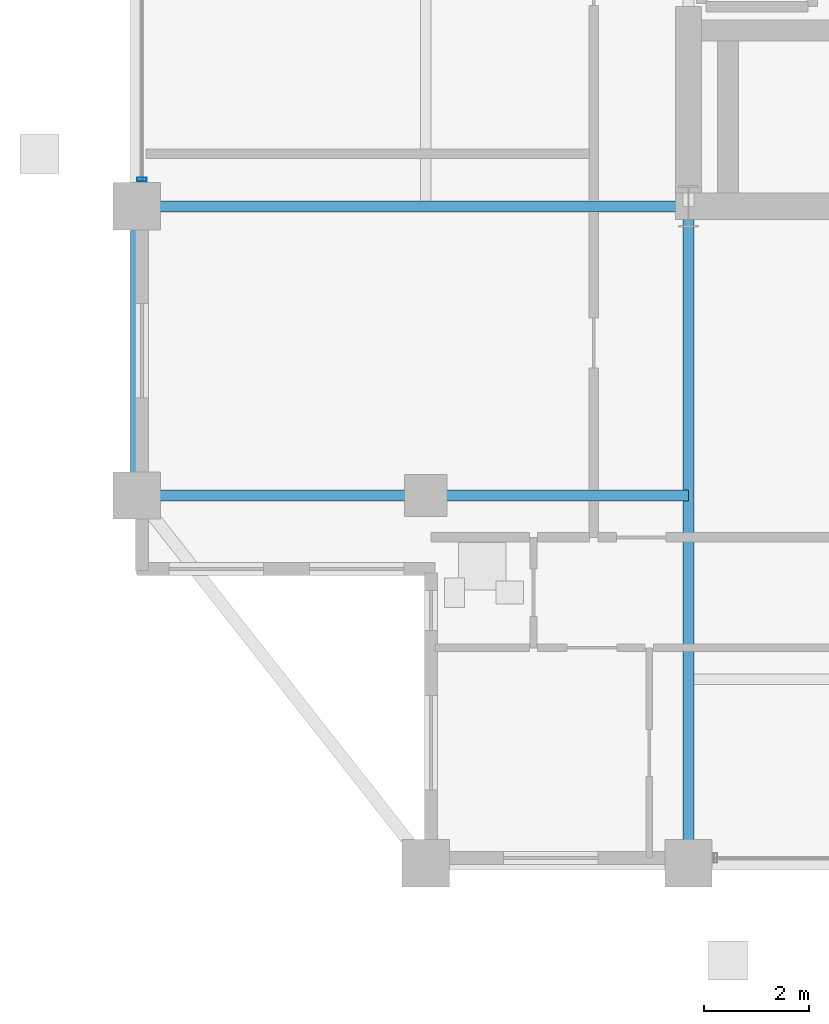
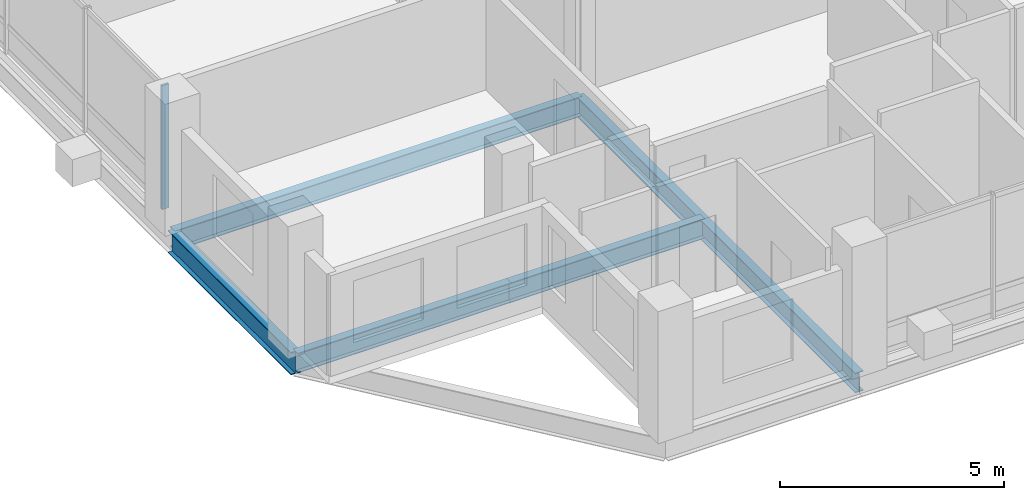
# One storey, part 3 of 16: 5 beams, 1 member, 1 element without a shape of its own.
"""IFC4 building model written with IfcOpenShell, lengths in metres."""

import ifcopenshell
import ifcopenshell.guid

model = None  # the IFC model being written
_history = None  # IfcOwnerHistory: only IFC2X3 demands one
_inside = {}  # id of a spatial element -> (the spatial element, [elements in it])
_under = {}  # id of a project, library or spatial element -> (it, [spatial elements below it])
_declared = {}  # id of a project -> (the project, [libraries it declares])
_typed = {}  # id of a type object -> (the type object, [elements of that type])
_made_of = {}  # id of a material, layer set ... -> (it, [elements and type objects made of it])


def new_model(schema):
    """Start an empty IFC model of exactly this schema.

    Asked for "IFC4X3", IfcOpenShell would pick the latest addendum, in which some entities
    have other attributes; the version numbers below select the first issue.
    IFC2X3 requires an IfcOwnerHistory on every rooted entity: one is made here for all.
    """
    global model, _history
    if schema == "IFC4X3":
        model = ifcopenshell.file(schema_version=(4, 3, 0, 0))
    else:
        model = ifcopenshell.file(schema=schema)
    _inside.clear()
    _under.clear()
    _declared.clear()
    _typed.clear()
    _made_of.clear()
    _history = None
    if model.schema == "IFC2X3":
        org = make("IfcOrganization", Name="unknown")
        user = make(
            "IfcPersonAndOrganization",
            ThePerson=make("IfcPerson", FamilyName="unknown"),
            TheOrganization=org,
        )
        app = make(
            "IfcApplication",
            ApplicationDeveloper=org,
            Version="unknown",
            ApplicationFullName="unknown",
            ApplicationIdentifier="unknown",
        )
        _history = make(
            "IfcOwnerHistory",
            OwningUser=user,
            OwningApplication=app,
            ChangeAction="ADDED",
            CreationDate=0,
        )
    return model


def make(cls, **values):
    """One entity of the class cls with the attributes given. An attribute that is None is left unset."""
    return model.create_entity(
        cls, **{name: value for name, value in values.items() if value is not None}
    )


def rooted(cls, **values):
    """An entity with a GlobalId (a new one), such as an element, a storey or a relation."""
    return make(cls, GlobalId=ifcopenshell.guid.new(), OwnerHistory=_history, **values)


def si_unit(unit_type, name, prefix=None):
    """IfcSIUnit, for example si_unit("LENGTHUNIT", "METRE", prefix="MILLI")."""
    return make("IfcSIUnit", UnitType=unit_type, Prefix=prefix, Name=name)


def assignment(units):
    """IfcUnitAssignment: the units of a project."""
    return None if units is None else make("IfcUnitAssignment", Units=units)


def point(xyz):
    """IfcCartesianPoint."""
    return None if xyz is None else make("IfcCartesianPoint", Coordinates=xyz)


def direction(xyz):
    """IfcDirection."""
    return None if xyz is None else make("IfcDirection", DirectionRatios=xyz)


def frame(location, z_axis=None, x_axis=None):
    """IfcAxis2Placement3D, a coordinate frame: its origin and axes. An axis left out is left unset."""
    return make(
        "IfcAxis2Placement3D",
        Location=point(location),
        Axis=direction(z_axis),
        RefDirection=direction(x_axis),
    )


def frame_2d(location, x_axis=None):
    """IfcAxis2Placement2D, a coordinate frame in the plane: its origin and x axis."""
    return make(
        "IfcAxis2Placement2D", Location=point(location), RefDirection=direction(x_axis)
    )


def origin():
    """The frame at (0, 0, 0) with its axes left unset."""
    return frame((0.0, 0.0, 0.0))


def origin_2d():
    """The frame at (0, 0) in the plane with its x axis left unset."""
    return frame_2d((0.0, 0.0))


def place(relative_to, where):
    """IfcLocalPlacement: puts the frame where relative to a parent placement (None: the world)."""
    return make(
        "IfcLocalPlacement", PlacementRelTo=relative_to, RelativePlacement=where
    )


def context(
    kind, dimensions, precision=None, world=None, true_north=None, identifier=None
):
    """IfcGeometricRepresentationContext, for example the 3D "Model" context."""
    return make(
        "IfcGeometricRepresentationContext",
        ContextIdentifier=identifier,
        ContextType=kind,
        CoordinateSpaceDimension=dimensions,
        Precision=precision,
        WorldCoordinateSystem=world,
        TrueNorth=true_north,
    )


def subcontext(parent, identifier, kind, view, scale=None):
    """IfcGeometricRepresentationSubContext, for example "Body" below "Model"."""
    return make(
        "IfcGeometricRepresentationSubContext",
        ContextIdentifier=identifier,
        ContextType=kind,
        ParentContext=parent,
        TargetScale=scale,
        TargetView=view,
    )


def project(units=None, contexts=None):
    """IfcProject with its units and contexts."""
    return rooted(
        "IfcProject",
        Name="project",
        RepresentationContexts=contexts,
        UnitsInContext=assignment(units),
    )


def spatial(cls, under=None, at=None, **own):
    """A site, building, storey or space (cls), placed at a placement, below another one or the project."""
    s = rooted(cls, ObjectPlacement=at, **own)
    if under is not None:
        _under.setdefault(under.id(), (under, []))[1].append(s)
    return s


def profile(cls, at=None, kind="AREA", **sizes):
    """A parametric profile (cls). Its sizes go by their IFC names, for example OverallWidth=200.0."""
    return make(cls, ProfileType=kind, Position=at, **sizes)


def hollow_rectangle(**sizes):
    """IfcRectangleHollowProfileDef."""
    return profile("IfcRectangleHollowProfileDef", **sizes)


def i_section(**sizes):
    """IfcIShapeProfileDef."""
    return profile("IfcIShapeProfileDef", **sizes)


def extrude(swept, where, along, depth):
    """IfcExtrudedAreaSolid: the profile swept, set in the frame where, extruded along a direction by depth."""
    return make(
        "IfcExtrudedAreaSolid",
        SweptArea=swept,
        Position=where,
        ExtrudedDirection=direction(along),
        Depth=depth,
    )


def shape(context_of_items, identifier, shape_type, items):
    """IfcShapeRepresentation: the items that make up one representation, for example the "Body"."""
    return make(
        "IfcShapeRepresentation",
        ContextOfItems=context_of_items,
        RepresentationIdentifier=identifier,
        RepresentationType=shape_type,
        Items=items,
    )


def material(Name=None, Category=None):
    """IfcMaterial."""
    return make("IfcMaterial", Name=Name, Category=Category)


def layer(
    of_material, thickness, ventilated=None, Name=None, Category=None, Priority=None
):
    """IfcMaterialLayer: one layer of a wall or slab, of a material (None: an air gap)."""
    return make(
        "IfcMaterialLayer",
        Material=of_material,
        LayerThickness=thickness,
        IsVentilated=ventilated,
        Name=Name,
        Category=Category,
        Priority=Priority,
    )


def layer_set(layers, Name=None):
    """IfcMaterialLayerSet."""
    return make("IfcMaterialLayerSet", MaterialLayers=layers, LayerSetName=Name)


def material_profile(
    of_material, cross_section, Name=None, Category=None, Priority=None
):
    """IfcMaterialProfile: a cross section and its material."""
    return make(
        "IfcMaterialProfile",
        Name=Name,
        Material=of_material,
        Profile=cross_section,
        Priority=Priority,
        Category=Category,
    )


def profile_set(profiles, Name=None, composite=None):
    """IfcMaterialProfileSet."""
    return make(
        "IfcMaterialProfileSet",
        Name=Name,
        MaterialProfiles=profiles,
        CompositeProfile=composite,
    )


def made_of(thing, what):
    """Note that an element or type object is made of a material, layer set ...; save() writes the relation."""
    if what is not None:
        _made_of.setdefault(what.id(), (what, []))[1].append(thing)
    return thing


def type_object(cls, material=None, **own):
    """A type object (cls), such as IfcWallType, which elements share."""
    return made_of(rooted(cls, **own), material)


def element(
    cls,
    number,
    at=None,
    inside=None,
    cuts=None,
    type_object=None,
    material=None,
    context=None,
    identifier="Body",
    shape_type=None,
    held_by="IfcProductDefinitionShape",
    body=None,
    shapes=None,
    **own,
):
    """One element of the class cls, such as IfcWall. Its Tag is "e" and its number.

    at: its placement. inside: the storey or other place that contains it. cuts: it is an
    opening in that element (IfcRelVoidsElement). A single representation is given by context,
    identifier, shape_type and body (its items); several are given by shapes. held_by: the class
    of the entity that holds the representations. save() writes the other relations.
    """
    e = rooted(cls, Tag="e%d" % number, ObjectPlacement=at, **own)
    if body is not None:
        shapes = [shape(context, identifier, shape_type, body)]
    if shapes is not None:
        e.Representation = make(held_by, Representations=shapes)
    if inside is not None:
        _inside.setdefault(inside.id(), (inside, []))[1].append(e)
    if cuts is not None:
        rooted(
            "IfcRelVoidsElement", RelatingBuildingElement=cuts, RelatedOpeningElement=e
        )
    if type_object is not None:
        _typed.setdefault(type_object.id(), (type_object, []))[1].append(e)
    return made_of(e, material)


def aggregate(whole, parts):
    """IfcRelAggregates: a whole, such as a stair, and the parts it consists of."""
    return rooted("IfcRelAggregates", RelatingObject=whole, RelatedObjects=parts)


def save(model, path):
    """Write the relations noted so far, then the file.

    IfcRelAggregates (storeys below a building ...), IfcRelContainedInSpatialStructure (elements
    in a storey), IfcRelDefinesByType, IfcRelAssociatesMaterial and IfcRelDeclares: one each for
    every whole, place, type object, material and project.
    """
    for whole, parts in _under.values():
        aggregate(whole, parts)
    for where, things in _inside.values():
        rooted(
            "IfcRelContainedInSpatialStructure",
            RelatedElements=things,
            RelatingStructure=where,
        )
    for kind, things in _typed.values():
        rooted("IfcRelDefinesByType", RelatedObjects=things, RelatingType=kind)
    for what, things in _made_of.values():
        rooted("IfcRelAssociatesMaterial", RelatedObjects=things, RelatingMaterial=what)
    for by, libraries in _declared.values():
        rooted("IfcRelDeclares", RelatingContext=by, RelatedDefinitions=libraries)
    model.write(path)


model = new_model("IFC4")

# Units and contexts
model_context = context("Model", 3, precision=1e-05, world=origin(), true_north=direction((0.0, 1.0)))
body_context = subcontext(model_context, "Body", "Model", "MODEL_VIEW")
ifc_project = project(units=[si_unit("LENGTHUNIT", "METRE"), si_unit("AREAUNIT", "SQUARE_METRE"), si_unit("VOLUMEUNIT", "CUBIC_METRE"), si_unit("PLANEANGLEUNIT", "RADIAN"), si_unit("MASSUNIT", "GRAM", prefix="KILO")], contexts=[model_context])

# Site, building, storey
site_placement = place(None, origin())
site = spatial("IfcSite", under=ifc_project, at=site_placement, CompositionType="ELEMENT")
building_placement = place(site_placement, origin())
building = spatial("IfcBuilding", under=site, at=building_placement, Name="Barlavira Tower and Art Museum", CompositionType="ELEMENT")
storey_placement = place(building_placement, frame((0.0, 0.0, 265.5)))
storey = spatial("IfcBuildingStorey", under=building, at=storey_placement, Name="L69", CompositionType="ELEMENT", Elevation=265.5)

# Curtain wall, member
ifc_material_1 = material(Name="Low-iron coastal laminated glass", Category="glass")
ifc_layer = layer(ifc_material_1, 0.2099609375, Name="Low-iron coastal laminated glass")
ifc_layer_set = layer_set([ifc_layer], Name="Low-iron coastal laminated glass")
curtain_wall_type = type_object("IfcCurtainWallType", Name="Pale-Metal Unitised Curtain Wall Zone 4", PredefinedType="NOTDEFINED", material=ifc_layer_set)
curtain_wall_placement = place(storey_placement, origin())
curtain_wall = element("IfcCurtainWall", 1, at=curtain_wall_placement, inside=storey, type_object=curtain_wall_type, Name="L69 Curtain Wall CW4-L69-W-B2", PredefinedType="NOTDEFINED")
ifc_material_2 = material(Name="Pale anodised aluminium", Category="aluminium")
ifc_material_profile_1 = material_profile(ifc_material_2, hollow_rectangle(XDim=0.06494140625, YDim=0.179931640625, WallThickness=0.00390625, at=origin_2d()), Name="ALU-MULL 65x180x4")
ifc_profile_set_1 = profile_set([ifc_material_profile_1], Name="Pale anodised aluminium")
member_type = type_object("IfcMemberType", Name="Curtain Wall Pale-Metal Mullion 65x180", PredefinedType="MULLION", material=ifc_profile_set_1)
member_placement = place(storey_placement, frame((-16.89990234375, -6.985107421875, 0.0), z_axis=(0.0, 0.0, 1.0), x_axis=(0.0, -1.0, 0.0)))
member = element("IfcMember", 2, at=member_placement, type_object=member_type, Name="CW4-L69-W-B2 Mullion 4", PredefinedType="MULLION", context=body_context, shape_type="SweptSolid", body=[
    extrude(hollow_rectangle(XDim=0.06494140625, YDim=0.179931640625, WallThickness=0.00390625, at=origin_2d()), origin(), (0.0, 0.0, 1.0), 3.3798828125),
])
aggregate(curtain_wall, [member])

# Beams
ifc_material_3 = material(Name="Steel S355", Category="steel")
ifc_material_profile_2 = material_profile(ifc_material_3, i_section(OverallWidth=0.22998046875, OverallDepth=0.616943359375, WebThickness=0.01318359375, FlangeThickness=0.022216796875, at=origin_2d()), Name="W610x140.0")
ifc_profile_set_2 = profile_set([ifc_material_profile_2], Name="Steel S355")
beam_type_1 = type_object("IfcBeamType", Name="Upper Shaft Spandrel Edge Beam W610x140 Steel S355", PredefinedType="SPANDREL", material=ifc_profile_set_2)
beam_1_placement = place(storey_placement, frame((-17.0, -13.0, -0.528564453125), z_axis=(0.0, 1.0, 0.0), x_axis=(-1.0, 0.0, 0.0)))
element("IfcBeam", 3, at=beam_1_placement, inside=storey, type_object=beam_type_1, Name="L69 Spandrel 15", PredefinedType="SPANDREL", context=body_context, shape_type="SweptSolid", body=[
    extrude(i_section(OverallWidth=0.22998046875, OverallDepth=0.616943359375, WebThickness=0.01318359375, FlangeThickness=0.022216796875, at=origin_2d()), origin(), (0.0, 0.0, 1.0), 5.5),
])
ifc_material_profile_3 = material_profile(ifc_material_3, i_section(OverallWidth=0.2109375, OverallDepth=0.5390625, WebThickness=0.01171875, FlangeThickness=0.018798828125, at=origin_2d()), Name="W530x109.0")
ifc_profile_set_3 = profile_set([ifc_material_profile_3], Name="Steel S355")
beam_type_2 = type_object("IfcBeamType", Name="Zone 3-4 Primary Floor Girder W530x109 Steel S355", PredefinedType="BEAM", material=ifc_profile_set_3)
beam_2_placement = place(storey_placement, frame((-6.5, -20.0, -0.489501953125), z_axis=(0.0, 1.0, 0.0), x_axis=(-1.0, 0.0, 0.0)))
element("IfcBeam", 4, at=beam_2_placement, inside=storey, type_object=beam_type_2, Name="L69 Girder R-S1", PredefinedType="BEAM", context=body_context, shape_type="SweptSolid", body=[
    extrude(i_section(OverallWidth=0.2109375, OverallDepth=0.5390625, WebThickness=0.01171875, FlangeThickness=0.018798828125, at=origin_2d()), origin(), (0.0, 0.0, 1.0), 12.5),
])
beam_3_placement = place(storey_placement, frame((-17.0, -7.5, -0.489501953125), z_axis=(1.0, 0.0, 0.0), x_axis=(0.0, 1.0, 0.0)))
element("IfcBeam", 5, at=beam_3_placement, inside=storey, type_object=beam_type_2, Name="L69 Girder R-W1", PredefinedType="BEAM", context=body_context, shape_type="SweptSolid", body=[
    extrude(i_section(OverallWidth=0.2109375, OverallDepth=0.5390625, WebThickness=0.01171875, FlangeThickness=0.018798828125, at=origin_2d()), origin(), (0.0, 0.0, 1.0), 10.5),
])
beam_4_placement = place(storey_placement, frame((-17.0, -13.0, -0.489501953125), z_axis=(1.0, 0.0, 0.0), x_axis=(0.0, 1.0, 0.0)))
element("IfcBeam", 6, at=beam_4_placement, inside=storey, type_object=beam_type_2, Name="L69 Girder I-S1", PredefinedType="BEAM", context=body_context, shape_type="SweptSolid", body=[
    extrude(i_section(OverallWidth=0.2109375, OverallDepth=0.5390625, WebThickness=0.01171875, FlangeThickness=0.018798828125, at=origin_2d()), origin(), (0.0, 0.0, 1.0), 5.5),
])
beam_5_placement = place(storey_placement, frame((-11.5, -13.0, -0.489501953125), z_axis=(1.0, 0.0, 0.0), x_axis=(0.0, 1.0, 0.0)))
element("IfcBeam", 7, at=beam_5_placement, inside=storey, type_object=beam_type_2, Name="L69 Girder I-S2", PredefinedType="BEAM", context=body_context, shape_type="SweptSolid", body=[
    extrude(i_section(OverallWidth=0.2109375, OverallDepth=0.5390625, WebThickness=0.01171875, FlangeThickness=0.018798828125, at=origin_2d()), origin(), (0.0, 0.0, 1.0), 5.0),
])

save(model, "model.ifc")
